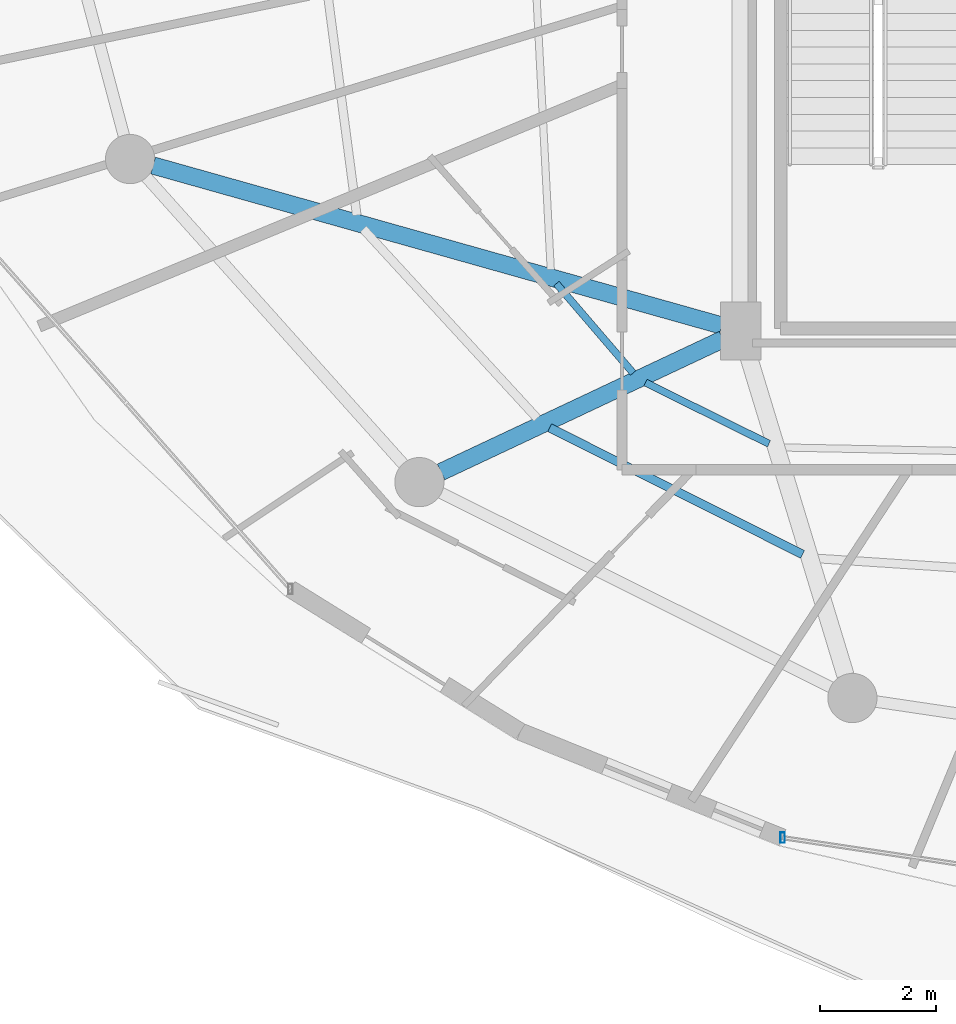
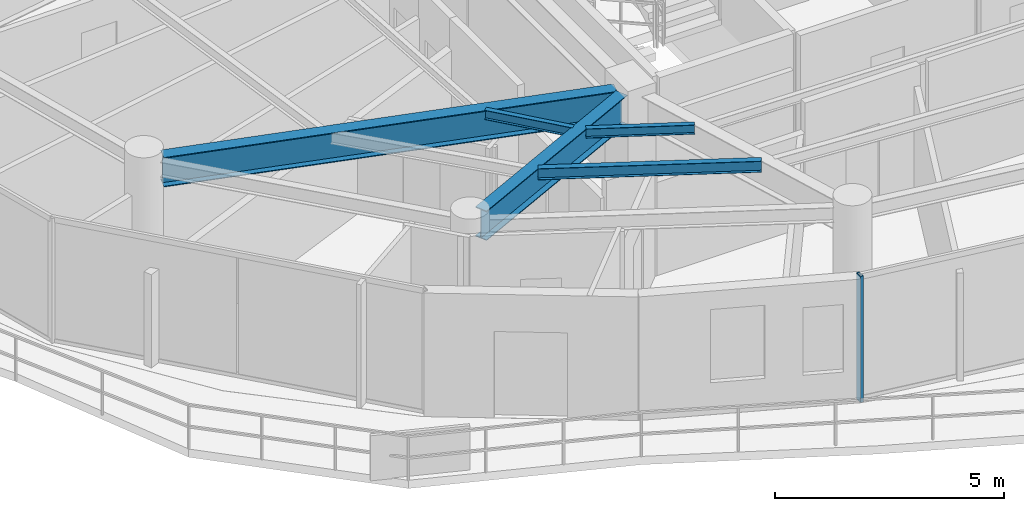
# One storey, part 4 of 30: 5 beams, 1 member, 1 element without a shape of its own.
"""IFC4 building model written with IfcOpenShell, lengths in metres."""

from ifc_helpers import new_model, si_unit, direction, frame, origin, origin_2d, place, context, subcontext, project, spatial, hollow_rectangle, i_section, extrude, material, material_profile, profile_set, type_object, element, aggregate, save


model = new_model("IFC4")

# Units and contexts
model_context = context("Model", 3, precision=1e-05, world=origin(), true_north=direction((0.0, 1.0)))
body_context = subcontext(model_context, "Body", "Model", "MODEL_VIEW")
ifc_project = project(units=[si_unit("LENGTHUNIT", "METRE"), si_unit("AREAUNIT", "SQUARE_METRE"), si_unit("VOLUMEUNIT", "CUBIC_METRE"), si_unit("PLANEANGLEUNIT", "RADIAN"), si_unit("MASSUNIT", "GRAM", prefix="KILO")], contexts=[model_context])

# Site, building, storey
site_placement = place(None, origin())
site = spatial("IfcSite", under=ifc_project, at=site_placement, CompositionType="ELEMENT")
building_placement = place(site_placement, origin())
building = spatial("IfcBuilding", under=site, at=building_placement, Name="Vorneva Point Tower", CompositionType="ELEMENT")
storey_placement = place(building_placement, frame((0.0, 0.0, 252.0)))
storey = spatial("IfcBuildingStorey", under=building, at=storey_placement, Name="L68", CompositionType="ELEMENT", Elevation=252.0)

# Beams
ifc_material_1 = material(Name="Steel S355", Category="steel")
ifc_material_profile_1 = material_profile(ifc_material_1, i_section(OverallWidth=0.300048828125, OverallDepth=0.7880859375, WebThickness=0.014404296875, FlangeThickness=0.02197265625, at=origin_2d()), Name="80Sh1")
ifc_profile_set_1 = profile_set([ifc_material_profile_1], Name="Steel S355")
beam_type_1 = type_object("IfcBeamType", Name="BM-GRD-80Sh1", PredefinedType="USERDEFINED", material=ifc_profile_set_1)
beam_1_placement = place(storey_placement, frame((17.102294921875, 19.305908203125, 2.89599609375), z_axis=(0.962601026021, -0.270922986664, 0.0), x_axis=(0.270922986664, 0.962601026021, 0.0)))
element("IfcBeam", 1, at=beam_1_placement, inside=storey, type_object=beam_type_1, Name="L68 Radial Primary Girder 10", ObjectType="GIRDER", PredefinedType="USERDEFINED", context=body_context, shape_type="SweptSolid", body=[
    extrude(i_section(OverallWidth=0.300048828125, OverallDepth=0.7880859375, WebThickness=0.014404296875, FlangeThickness=0.02197265625, at=origin_2d()), origin(), (0.0, 0.0, 1.0), 10.201904296875),
])
beam_2_placement = place(storey_placement, frame((22.074951171875, 14.013671875, 2.89599609375), z_axis=(0.904750812805, 0.425941271455, 0.0), x_axis=(-0.425941271455, 0.904750812805, 0.0)))
element("IfcBeam", 2, at=beam_2_placement, inside=storey, type_object=beam_type_1, Name="L68 Radial Primary Girder 11", ObjectType="GIRDER", PredefinedType="USERDEFINED", context=body_context, shape_type="SweptSolid", body=[
    extrude(i_section(OverallWidth=0.300048828125, OverallDepth=0.7880859375, WebThickness=0.014404296875, FlangeThickness=0.02197265625, at=origin_2d()), origin(), (0.0, 0.0, 1.0), 5.3798828125),
])
ifc_material_profile_2 = material_profile(ifc_material_1, i_section(OverallWidth=0.1240234375, OverallDepth=0.248046875, WebThickness=0.0048828125, FlangeThickness=0.008056640625, at=origin_2d()), Name="25B1")
ifc_profile_set_2 = profile_set([ifc_material_profile_2], Name="Steel S355")
beam_type_2 = type_object("IfcBeamType", Name="BM-JST-25B1", PredefinedType="JOIST", material=ifc_profile_set_2)
beam_3_placement = place(storey_placement, frame((24.06640625, 17.2666015625, 3.166015625), z_axis=(0.651452972558, -0.758689017019, 0.0), x_axis=(0.758689017019, 0.651452972558, 0.0)))
element("IfcBeam", 3, at=beam_3_placement, inside=storey, type_object=beam_type_2, Name="L68 Secondary Floor Beam 2.10", PredefinedType="JOIST", context=body_context, shape_type="SweptSolid", body=[
    extrude(i_section(OverallWidth=0.1240234375, OverallDepth=0.248046875, WebThickness=0.0048828125, FlangeThickness=0.008056640625, at=origin_2d()), origin(), (0.0, 0.0, 1.0), 2.035400390625),
])
beam_4_placement = place(storey_placement, frame((25.605712890625, 15.556396484375, 3.166015625), z_axis=(0.896082897708, -0.443886742803, 0.0), x_axis=(0.443886742803, 0.896082897708, 0.0)))
element("IfcBeam", 4, at=beam_4_placement, inside=storey, type_object=beam_type_2, Name="L68 Secondary Floor Beam 2.11", PredefinedType="JOIST", context=body_context, shape_type="SweptSolid", body=[
    extrude(i_section(OverallWidth=0.1240234375, OverallDepth=0.248046875, WebThickness=0.0048828125, FlangeThickness=0.008056640625, at=origin_2d()), origin(), (0.0, 0.0, 1.0), 2.3798828125),
])
ifc_material_profile_3 = material_profile(ifc_material_1, i_section(OverallWidth=0.14892578125, OverallDepth=0.298095703125, WebThickness=0.005615234375, FlangeThickness=0.008056640625, at=origin_2d()), Name="30B1")
ifc_profile_set_3 = profile_set([ifc_material_profile_3], Name="Steel S355")
beam_type_3 = type_object("IfcBeamType", Name="BM-JST-30B1", PredefinedType="JOIST", material=ifc_profile_set_3)
beam_5_placement = place(storey_placement, frame((23.95068359375, 14.77685546875, 3.14111328125), z_axis=(0.894207228659, -0.447653249975, 0.0), x_axis=(0.447653249975, 0.894207228659, 0.0)))
element("IfcBeam", 5, at=beam_5_placement, inside=storey, type_object=beam_type_3, Name="L68 Secondary Floor Beam 1.11", PredefinedType="JOIST", context=body_context, shape_type="SweptSolid", body=[
    extrude(i_section(OverallWidth=0.14892578125, OverallDepth=0.298095703125, WebThickness=0.005615234375, FlangeThickness=0.008056640625, at=origin_2d()), origin(), (0.0, 0.0, 1.0), 4.885986328125),
])

# Curtain wall, member
ifc_material_2 = material(Name="Pale anodised aluminium", Category="aluminium")
curtain_wall_type = type_object("IfcCurtainWallType", Name="CW-RES-SYS", PredefinedType="NOTDEFINED", material=ifc_material_2)
curtain_wall_placement = place(storey_placement, origin())
curtain_wall = element("IfcCurtainWall", 6, at=curtain_wall_placement, inside=storey, type_object=curtain_wall_type, Name="L68 Unitised Curtain Wall CW-L68-R04", PredefinedType="NOTDEFINED")
ifc_material_profile_4 = material_profile(ifc_material_2, hollow_rectangle(XDim=0.074951171875, YDim=0.179931640625, WallThickness=0.00390625, at=origin_2d()), Name="AL-MUL 180x75x4")
ifc_profile_set_4 = profile_set([ifc_material_profile_4], Name="Pale anodised aluminium")
member_type = type_object("IfcMemberType", Name="CW-MUL-180", PredefinedType="MULLION", material=ifc_profile_set_4)
member_placement = place(storey_placement, frame((27.9736328125, 7.697998046875, -0.0400390625), z_axis=(0.0, 0.0, 1.0), x_axis=(1.0, 0.0, 0.0)))
member = element("IfcMember", 7, at=member_placement, type_object=member_type, Name="CW-L68-R04 Mullion 01", PredefinedType="MULLION", context=body_context, shape_type="SweptSolid", body=[
    extrude(hollow_rectangle(XDim=0.074951171875, YDim=0.179931640625, WallThickness=0.00390625, at=origin_2d()), origin(), (0.0, 0.0, 1.0), 3.360107421875),
])
aggregate(curtain_wall, [member])

save(model, "model.ifc")
